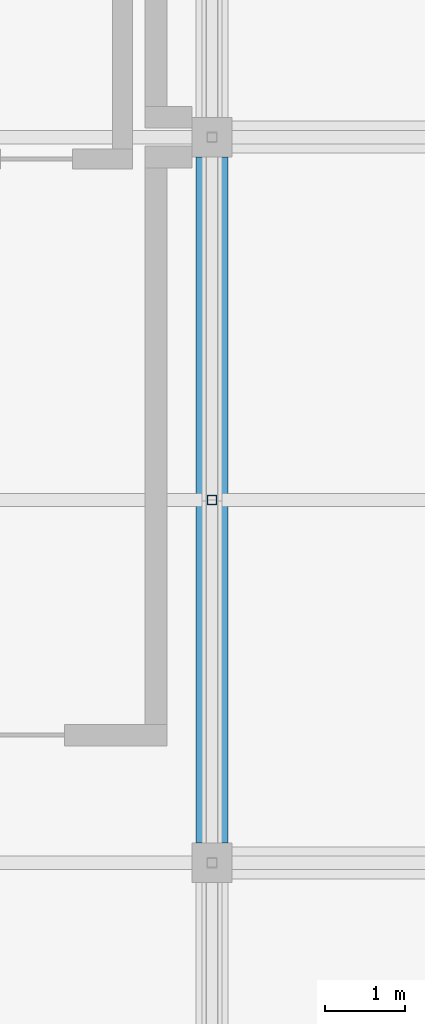
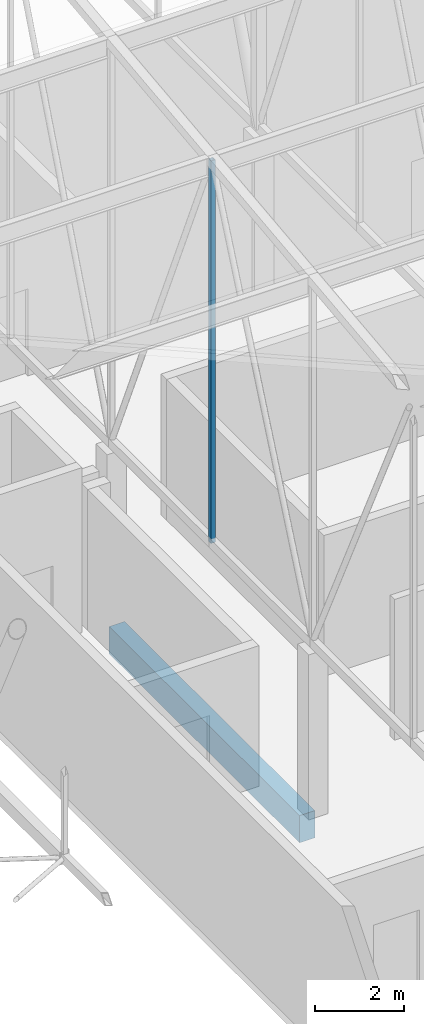
# One storey, part 125 of 500: 1 beam, 1 member.
"""IFC4 building model written with IfcOpenShell, lengths in metres."""

import ifcopenshell
import ifcopenshell.guid

model = None  # the IFC model being written
_history = None  # IfcOwnerHistory: only IFC2X3 demands one
_inside = {}  # id of a spatial element -> (the spatial element, [elements in it])
_under = {}  # id of a project, library or spatial element -> (it, [spatial elements below it])
_declared = {}  # id of a project -> (the project, [libraries it declares])
_typed = {}  # id of a type object -> (the type object, [elements of that type])
_made_of = {}  # id of a material, layer set ... -> (it, [elements and type objects made of it])


def new_model(schema):
    """Start an empty IFC model of exactly this schema.

    Asked for "IFC4X3", IfcOpenShell would pick the latest addendum, in which some entities
    have other attributes; the version numbers below select the first issue.
    IFC2X3 requires an IfcOwnerHistory on every rooted entity: one is made here for all.
    """
    global model, _history
    if schema == "IFC4X3":
        model = ifcopenshell.file(schema_version=(4, 3, 0, 0))
    else:
        model = ifcopenshell.file(schema=schema)
    _inside.clear()
    _under.clear()
    _declared.clear()
    _typed.clear()
    _made_of.clear()
    _history = None
    if model.schema == "IFC2X3":
        org = make("IfcOrganization", Name="unknown")
        user = make(
            "IfcPersonAndOrganization",
            ThePerson=make("IfcPerson", FamilyName="unknown"),
            TheOrganization=org,
        )
        app = make(
            "IfcApplication",
            ApplicationDeveloper=org,
            Version="unknown",
            ApplicationFullName="unknown",
            ApplicationIdentifier="unknown",
        )
        _history = make(
            "IfcOwnerHistory",
            OwningUser=user,
            OwningApplication=app,
            ChangeAction="ADDED",
            CreationDate=0,
        )
    return model


def make(cls, **values):
    """One entity of the class cls with the attributes given. An attribute that is None is left unset."""
    return model.create_entity(
        cls, **{name: value for name, value in values.items() if value is not None}
    )


def rooted(cls, **values):
    """An entity with a GlobalId (a new one), such as an element, a storey or a relation."""
    return make(cls, GlobalId=ifcopenshell.guid.new(), OwnerHistory=_history, **values)


def si_unit(unit_type, name, prefix=None):
    """IfcSIUnit, for example si_unit("LENGTHUNIT", "METRE", prefix="MILLI")."""
    return make("IfcSIUnit", UnitType=unit_type, Prefix=prefix, Name=name)


def assignment(units):
    """IfcUnitAssignment: the units of a project."""
    return None if units is None else make("IfcUnitAssignment", Units=units)


def point(xyz):
    """IfcCartesianPoint."""
    return None if xyz is None else make("IfcCartesianPoint", Coordinates=xyz)


def direction(xyz):
    """IfcDirection."""
    return None if xyz is None else make("IfcDirection", DirectionRatios=xyz)


def frame(location, z_axis=None, x_axis=None):
    """IfcAxis2Placement3D, a coordinate frame: its origin and axes. An axis left out is left unset."""
    return make(
        "IfcAxis2Placement3D",
        Location=point(location),
        Axis=direction(z_axis),
        RefDirection=direction(x_axis),
    )


def frame_2d(location, x_axis=None):
    """IfcAxis2Placement2D, a coordinate frame in the plane: its origin and x axis."""
    return make(
        "IfcAxis2Placement2D", Location=point(location), RefDirection=direction(x_axis)
    )


def origin():
    """The frame at (0, 0, 0) with its axes left unset."""
    return frame((0.0, 0.0, 0.0))


def origin_2d():
    """The frame at (0, 0) in the plane with its x axis left unset."""
    return frame_2d((0.0, 0.0))


def place(relative_to, where):
    """IfcLocalPlacement: puts the frame where relative to a parent placement (None: the world)."""
    return make(
        "IfcLocalPlacement", PlacementRelTo=relative_to, RelativePlacement=where
    )


def context(
    kind, dimensions, precision=None, world=None, true_north=None, identifier=None
):
    """IfcGeometricRepresentationContext, for example the 3D "Model" context."""
    return make(
        "IfcGeometricRepresentationContext",
        ContextIdentifier=identifier,
        ContextType=kind,
        CoordinateSpaceDimension=dimensions,
        Precision=precision,
        WorldCoordinateSystem=world,
        TrueNorth=true_north,
    )


def subcontext(parent, identifier, kind, view, scale=None):
    """IfcGeometricRepresentationSubContext, for example "Body" below "Model"."""
    return make(
        "IfcGeometricRepresentationSubContext",
        ContextIdentifier=identifier,
        ContextType=kind,
        ParentContext=parent,
        TargetScale=scale,
        TargetView=view,
    )


def project(units=None, contexts=None):
    """IfcProject with its units and contexts."""
    return rooted(
        "IfcProject",
        Name="project",
        RepresentationContexts=contexts,
        UnitsInContext=assignment(units),
    )


def spatial(cls, under=None, at=None, **own):
    """A site, building, storey or space (cls), placed at a placement, below another one or the project."""
    s = rooted(cls, ObjectPlacement=at, **own)
    if under is not None:
        _under.setdefault(under.id(), (under, []))[1].append(s)
    return s


def profile(cls, at=None, kind="AREA", **sizes):
    """A parametric profile (cls). Its sizes go by their IFC names, for example OverallWidth=200.0."""
    return make(cls, ProfileType=kind, Position=at, **sizes)


def rectangle(**sizes):
    """IfcRectangleProfileDef."""
    return profile("IfcRectangleProfileDef", **sizes)


def hollow_rectangle(**sizes):
    """IfcRectangleHollowProfileDef."""
    return profile("IfcRectangleHollowProfileDef", **sizes)


def extrude(swept, where, along, depth):
    """IfcExtrudedAreaSolid: the profile swept, set in the frame where, extruded along a direction by depth."""
    return make(
        "IfcExtrudedAreaSolid",
        SweptArea=swept,
        Position=where,
        ExtrudedDirection=direction(along),
        Depth=depth,
    )


def shape(context_of_items, identifier, shape_type, items):
    """IfcShapeRepresentation: the items that make up one representation, for example the "Body"."""
    return make(
        "IfcShapeRepresentation",
        ContextOfItems=context_of_items,
        RepresentationIdentifier=identifier,
        RepresentationType=shape_type,
        Items=items,
    )


def material(Name=None, Category=None):
    """IfcMaterial."""
    return make("IfcMaterial", Name=Name, Category=Category)


def material_profile(
    of_material, cross_section, Name=None, Category=None, Priority=None
):
    """IfcMaterialProfile: a cross section and its material."""
    return make(
        "IfcMaterialProfile",
        Name=Name,
        Material=of_material,
        Profile=cross_section,
        Priority=Priority,
        Category=Category,
    )


def profile_set(profiles, Name=None, composite=None):
    """IfcMaterialProfileSet."""
    return make(
        "IfcMaterialProfileSet",
        Name=Name,
        MaterialProfiles=profiles,
        CompositeProfile=composite,
    )


def made_of(thing, what):
    """Note that an element or type object is made of a material, layer set ...; save() writes the relation."""
    if what is not None:
        _made_of.setdefault(what.id(), (what, []))[1].append(thing)
    return thing


def type_object(cls, material=None, **own):
    """A type object (cls), such as IfcWallType, which elements share."""
    return made_of(rooted(cls, **own), material)


def element(
    cls,
    number,
    at=None,
    inside=None,
    cuts=None,
    type_object=None,
    material=None,
    context=None,
    identifier="Body",
    shape_type=None,
    held_by="IfcProductDefinitionShape",
    body=None,
    shapes=None,
    **own,
):
    """One element of the class cls, such as IfcWall. Its Tag is "e" and its number.

    at: its placement. inside: the storey or other place that contains it. cuts: it is an
    opening in that element (IfcRelVoidsElement). A single representation is given by context,
    identifier, shape_type and body (its items); several are given by shapes. held_by: the class
    of the entity that holds the representations. save() writes the other relations.
    """
    e = rooted(cls, Tag="e%d" % number, ObjectPlacement=at, **own)
    if body is not None:
        shapes = [shape(context, identifier, shape_type, body)]
    if shapes is not None:
        e.Representation = make(held_by, Representations=shapes)
    if inside is not None:
        _inside.setdefault(inside.id(), (inside, []))[1].append(e)
    if cuts is not None:
        rooted(
            "IfcRelVoidsElement", RelatingBuildingElement=cuts, RelatedOpeningElement=e
        )
    if type_object is not None:
        _typed.setdefault(type_object.id(), (type_object, []))[1].append(e)
    return made_of(e, material)


def aggregate(whole, parts):
    """IfcRelAggregates: a whole, such as a stair, and the parts it consists of."""
    return rooted("IfcRelAggregates", RelatingObject=whole, RelatedObjects=parts)


def save(model, path):
    """Write the relations noted so far, then the file.

    IfcRelAggregates (storeys below a building ...), IfcRelContainedInSpatialStructure (elements
    in a storey), IfcRelDefinesByType, IfcRelAssociatesMaterial and IfcRelDeclares: one each for
    every whole, place, type object, material and project.
    """
    for whole, parts in _under.values():
        aggregate(whole, parts)
    for where, things in _inside.values():
        rooted(
            "IfcRelContainedInSpatialStructure",
            RelatedElements=things,
            RelatingStructure=where,
        )
    for kind, things in _typed.values():
        rooted("IfcRelDefinesByType", RelatedObjects=things, RelatingType=kind)
    for what, things in _made_of.values():
        rooted("IfcRelAssociatesMaterial", RelatedObjects=things, RelatingMaterial=what)
    for by, libraries in _declared.values():
        rooted("IfcRelDeclares", RelatingContext=by, RelatedDefinitions=libraries)
    model.write(path)


model = new_model("IFC4")

# Units and contexts
model_context = context("Model", 3, precision=1e-05, world=origin(), true_north=direction((0.0, 1.0)))
body_context = subcontext(model_context, "Body", "Model", "MODEL_VIEW")
ifc_project = project(units=[si_unit("LENGTHUNIT", "METRE"), si_unit("AREAUNIT", "SQUARE_METRE"), si_unit("VOLUMEUNIT", "CUBIC_METRE"), si_unit("PLANEANGLEUNIT", "RADIAN"), si_unit("MASSUNIT", "GRAM", prefix="KILO")], contexts=[model_context])

# Site, building, storey
site_placement = place(None, origin())
site = spatial("IfcSite", under=ifc_project, at=site_placement, CompositionType="ELEMENT")
building_placement = place(site_placement, origin())
building = spatial("IfcBuilding", under=site, at=building_placement, Name="Shirokan Park Arena", CompositionType="ELEMENT")
storey_placement = place(building_placement, frame((0.0, 0.0, 29.1201171875)))
storey = spatial("IfcBuildingStorey", under=building, at=storey_placement, Name="L06", CompositionType="ELEMENT", Elevation=29.1201171875)

# Beam
ifc_material_1 = material(Name="Concrete C35", Category="concrete")
ifc_material_profile_1 = material_profile(ifc_material_1, rectangle(XDim=0.39990234375, YDim=0.75, at=origin_2d()), Name="400x750")
ifc_profile_set_1 = profile_set([ifc_material_profile_1], Name="Concrete C35")
beam_type = type_object("IfcBeamType", Name="RC girder 400x750", PredefinedType="BEAM", material=ifc_profile_set_1)
beam_placement = place(storey_placement, frame((109.199951171875, 18.4501953125, -0.5751953125), z_axis=(0.0, 1.0, 0.0), x_axis=(-1.0, 0.0, 0.0)))
element("IfcBeam", 1, at=beam_placement, inside=storey, type_object=beam_type, Name="Girder 13C-13D L06", PredefinedType="BEAM", context=body_context, shape_type="SweptSolid", body=[
    extrude(rectangle(XDim=0.39990234375, YDim=0.75, at=origin_2d()), origin(), (0.0, 0.0, 1.0), 8.599609375),
])

# Member
ifc_material_2 = material(Name="Steel ASTM A500 Grade C", Category="steel")
ifc_material_profile_2 = material_profile(ifc_material_2, hollow_rectangle(XDim=0.114013671875, YDim=0.114013671875, WallThickness=0.00634765625, at=origin_2d()), Name="HSS114.3X114.3X6.4")
ifc_profile_set_2 = profile_set([ifc_material_profile_2], Name="Steel ASTM A500 Grade C")
member_type = type_object("IfcMemberType", Name="Truss post HSS114.3X114.3X6.4", PredefinedType="POST", material=ifc_profile_set_2)
member_placement = place(storey_placement, frame((109.199951171875, 22.75, 4.677001953125), z_axis=(0.0, 0.0, 1.0), x_axis=(1.0, 0.0, 0.0)))
element("IfcMember", 2, at=member_placement, inside=storey, type_object=member_type, Name="Truss T13 post 8", PredefinedType="POST", context=body_context, shape_type="SweptSolid", body=[
    extrude(hollow_rectangle(XDim=0.114013671875, YDim=0.114013671875, WallThickness=0.00634765625, at=origin_2d()), origin(), (0.0, 0.0, 1.0), 10.5458984375),
])

save(model, "model.ifc")
